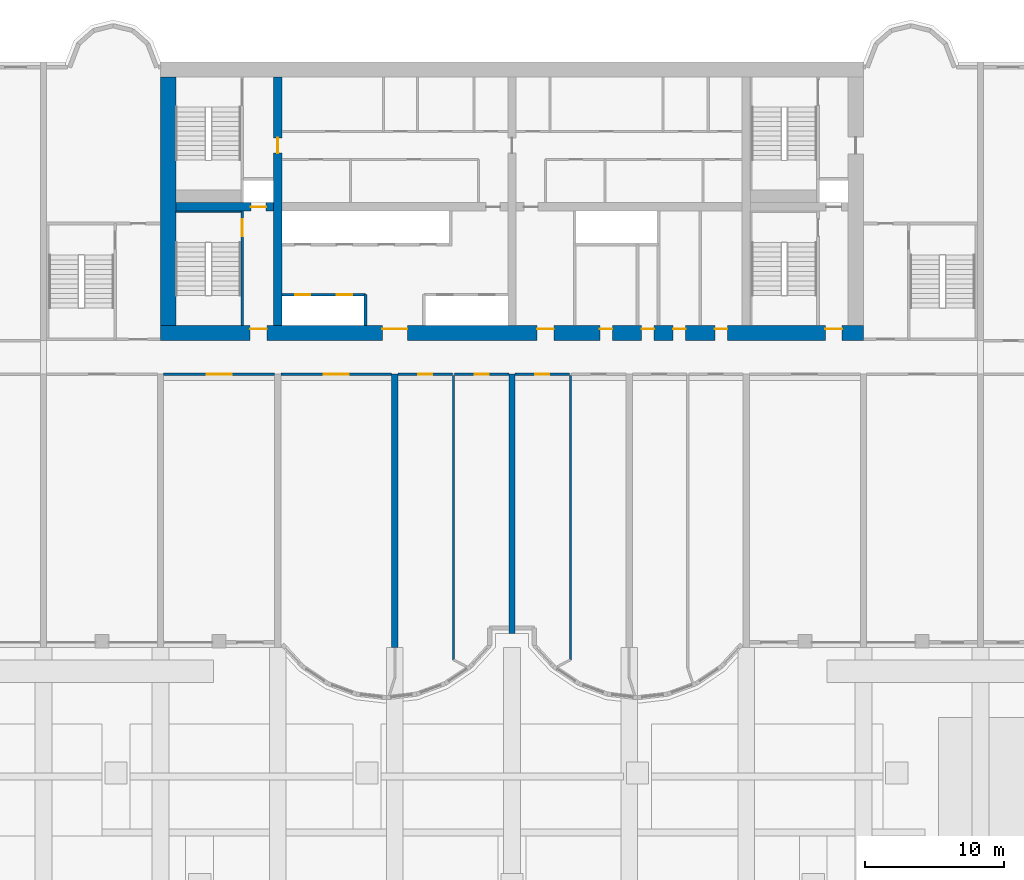
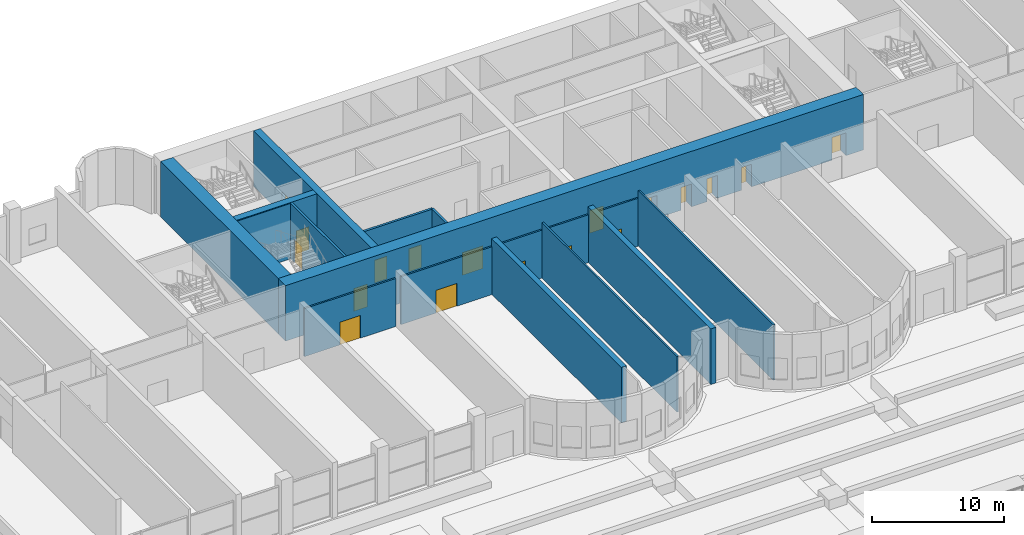
# One storey, part 10 of 20: 18 doors, 17 walls, 18 openings.
"""IFC4 building model written with IfcOpenShell, lengths in metres."""

from ifc_helpers import new_model, si_unit, direction, frame, frame_2d, origin, place, context, subcontext, project, spatial, rectangle, extrude, source, transform, mapped, material, layer, layer_set, type_object, element, fill, save


model = new_model("IFC4")

# Units and contexts
model_context = context("Model", 3, precision=1e-05, world=origin(), true_north=direction((0.0, 1.0)))
body_context = subcontext(model_context, "Body", "Model", "MODEL_VIEW")
ifc_project = project(units=[si_unit("LENGTHUNIT", "METRE"), si_unit("AREAUNIT", "SQUARE_METRE"), si_unit("VOLUMEUNIT", "CUBIC_METRE"), si_unit("PLANEANGLEUNIT", "RADIAN"), si_unit("MASSUNIT", "GRAM", prefix="KILO")], contexts=[model_context])

# Site, building, storey
site_placement = place(None, origin())
site = spatial("IfcSite", under=ifc_project, at=site_placement, CompositionType="ELEMENT")
building_placement = place(site_placement, origin())
building = spatial("IfcBuilding", under=site, at=building_placement, Name="Vanashikhar Sky Hotel", CompositionType="ELEMENT")
storey_placement = place(building_placement, frame((0.0, 0.0, 6.0)))
storey = spatial("IfcBuildingStorey", under=building, at=storey_placement, Name="L01", CompositionType="ELEMENT", Elevation=6.0)

# Wall, openings, doors
ifc_material_1 = material(Name="Concrete M80", Category="concrete")
ifc_layer_1 = layer(ifc_material_1, 1.10009765625)
ifc_layer_set_1 = layer_set([ifc_layer_1], Name="RC core shell wall 1100 Concrete M80")
wall_type_1 = type_object("IfcWallType", Name="RC core shell wall 1100 Concrete M80", PredefinedType="SHEAR", material=ifc_layer_set_1)
shared_shape_1 = source(origin(), body_context, "Body", "SweptSolid", [
    extrude(rectangle(XDim=50.400146484375, YDim=1.10009765625, at=frame_2d((25.2001953125, 0.0))), origin(), (0.0, 0.0, 1.0), 5.1201171875),
])
wall_1_placement = place(storey_placement, frame((25.199951171875, 22.550048828125, 0.0), z_axis=(0.0, 0.0, 1.0), x_axis=(1.0, 0.0, 0.0)))
wall_1 = element("IfcWall", 1, at=wall_1_placement, inside=storey, type_object=wall_type_1, Name="KW-L01-KS", PredefinedType="SHEAR", context=body_context, shape_type="MappedRepresentation", body=[
    mapped(shared_shape_1, transform((0.0, 0.0, 0.0), scale=1.0)),
])
shared_shape_2 = source(origin(), body_context, "Body", "SweptSolid", [
    extrude(rectangle(XDim=1.800048828125, YDim=2.10009765625, at=frame_2d((0.89990234375, 1.050048828125))), frame((0.0, 0.56005859375, 0.0), z_axis=(0.0, -1.0, 0.0), x_axis=(1.0, 0.0, 0.0)), (0.0, 0.0, 1.0), 1.1201171875),
])
opening_1_placement = place(wall_1_placement, frame((15.89990234375, 0.0, 0.0)))
opening_1 = element("IfcOpeningElement", 2, at=opening_1_placement, cuts=wall_1, Name="Opening DC-3-A", PredefinedType="OPENING", context=body_context, shape_type="MappedRepresentation", body=[
    mapped(shared_shape_2, transform((0.0, 0.0, 0.0), scale=1.0)),
])
shared_shape_3 = source(origin(), body_context, "Body", "SweptSolid", [
    extrude(rectangle(XDim=1.199951171875, YDim=2.10009765625, at=frame_2d((0.60009765625, 1.050048828125))), frame((0.0, 0.56005859375, 0.0), z_axis=(0.0, -1.0, 0.0), x_axis=(1.0, 0.0, 0.0)), (0.0, 0.0, 1.0), 1.1201171875),
])
opening_2_placement = place(wall_1_placement, frame((27.0, 0.0, 0.0)))
opening_2 = element("IfcOpeningElement", 3, at=opening_2_placement, cuts=wall_1, Name="Opening DC-4-B", PredefinedType="OPENING", context=body_context, shape_type="MappedRepresentation", body=[
    mapped(shared_shape_3, transform((0.0, 0.0, 0.0), scale=1.0)),
])
shared_shape_4 = source(origin(), body_context, "Body", "SweptSolid", [
    extrude(rectangle(XDim=0.89990234375, YDim=2.10009765625, at=frame_2d((0.449951171875, 1.050048828125))), frame((0.0, 0.56005859375, 0.0), z_axis=(0.0, -1.0, 0.0), x_axis=(1.0, 0.0, 0.0)), (0.0, 0.0, 1.0), 1.1201171875),
])
opening_3_placement = place(wall_1_placement, frame((34.5, 0.0, 0.0)))
opening_3 = element("IfcOpeningElement", 4, at=opening_3_placement, cuts=wall_1, Name="Opening DC-4-A", PredefinedType="OPENING", context=body_context, shape_type="MappedRepresentation", body=[
    mapped(shared_shape_4, transform((0.0, 0.0, 0.0), scale=1.0)),
])
opening_4_placement = place(wall_1_placement, frame((31.5, 0.0, 0.0)))
opening_4 = element("IfcOpeningElement", 5, at=opening_4_placement, cuts=wall_1, Name="Opening DC-4-A", PredefinedType="OPENING", context=body_context, shape_type="MappedRepresentation", body=[
    mapped(shared_shape_4, transform((0.0, 0.0, 0.0), scale=1.0)),
])
opening_5_placement = place(wall_1_placement, frame((39.75, 0.0, 0.0)))
opening_5 = element("IfcOpeningElement", 6, at=opening_5_placement, cuts=wall_1, Name="Opening DC-4-A", PredefinedType="OPENING", context=body_context, shape_type="MappedRepresentation", body=[
    mapped(shared_shape_4, transform((0.0, 0.0, 0.0), scale=1.0)),
])
opening_6_placement = place(wall_1_placement, frame((36.75, 0.0, 0.0)))
opening_6 = element("IfcOpeningElement", 7, at=opening_6_placement, cuts=wall_1, Name="Opening DC-4-A", PredefinedType="OPENING", context=body_context, shape_type="MappedRepresentation", body=[
    mapped(shared_shape_4, transform((0.0, 0.0, 0.0), scale=1.0)),
])
opening_7_placement = place(wall_1_placement, frame((6.425048828125, 0.0, 0.0)))
opening_7 = element("IfcOpeningElement", 8, at=opening_7_placement, cuts=wall_1, Name="Opening DC-2", PredefinedType="OPENING", context=body_context, shape_type="MappedRepresentation", body=[
    mapped(shared_shape_3, transform((0.0, 0.0, 0.0), scale=1.0)),
])
opening_8_placement = place(wall_1_placement, frame((47.675048828125, 0.0, 0.0)))
opening_8 = element("IfcOpeningElement", 9, at=opening_8_placement, cuts=wall_1, Name="Opening DC-2", PredefinedType="OPENING", context=body_context, shape_type="MappedRepresentation", body=[
    mapped(shared_shape_3, transform((0.0, 0.0, 0.0), scale=1.0)),
])
ifc_material_2 = material(Name="Glass", Category="glass")
door_type_1 = type_object("IfcDoorType", Name="Lift lobby entrance door 1800 FD30S", OperationType="NOTDEFINED", PredefinedType="DOOR", material=ifc_material_2)
shared_shape_5 = source(origin(), body_context, "Body", "SweptSolid", [
    extrude(rectangle(XDim=1.800048828125, YDim=2.10009765625, at=frame_2d((0.89990234375, 1.050048828125))), frame((0.0, 0.3251953125, 0.0), z_axis=(0.0, -1.0, 0.0), x_axis=(1.0, 0.0, 0.0)), (0.0, 0.0, 1.0), 0.050048828125),
])
door_1_placement = place(opening_1_placement, origin())
door_1 = element("IfcDoor", 10, at=door_1_placement, inside=storey, type_object=door_type_1, Name="Lift lobby entrance door 1800 FD30S", OperationType="DOUBLE_DOOR_SINGLE_SWING", OverallHeight=2.10009765625, OverallWidth=1.800048828125, PredefinedType="DOOR", context=body_context, shape_type="MappedRepresentation", body=[
    mapped(shared_shape_5, transform((0.0, 0.0, 0.0), scale=1.0)),
])
fill(opening_1, door_1)
ifc_material_3 = material(Name="Steel", Category="steel")
door_type_2 = type_object("IfcDoorType", Name="Service door 1200 FD60", OperationType="NOTDEFINED", PredefinedType="DOOR", material=ifc_material_3)
shared_shape_6 = source(origin(), body_context, "Body", "SweptSolid", [
    extrude(rectangle(XDim=1.199951171875, YDim=2.10009765625, at=frame_2d((0.60009765625, 1.050048828125))), frame((0.0, 0.3251953125, 0.0), z_axis=(0.0, -1.0, 0.0), x_axis=(1.0, 0.0, 0.0)), (0.0, 0.0, 1.0), 0.050048828125),
])
door_2_placement = place(opening_2_placement, origin())
door_2 = element("IfcDoor", 11, at=door_2_placement, inside=storey, type_object=door_type_2, Name="Service door 1200 FD60", OperationType="SINGLE_SWING_LEFT", OverallHeight=2.10009765625, OverallWidth=1.199951171875, PredefinedType="DOOR", context=body_context, shape_type="MappedRepresentation", body=[
    mapped(shared_shape_6, transform((0.0, 0.0, 0.0), scale=1.0)),
])
fill(opening_2, door_2)
door_type_3 = type_object("IfcDoorType", Name="Firefighting lobby door 1200 FD120", OperationType="NOTDEFINED", PredefinedType="DOOR", material=ifc_material_3)
door_3_placement = place(opening_7_placement, origin())
door_3 = element("IfcDoor", 12, at=door_3_placement, inside=storey, type_object=door_type_3, Name="Firefighting lobby door 1200 FD120", OperationType="SINGLE_SWING_LEFT", OverallHeight=2.10009765625, OverallWidth=1.199951171875, PredefinedType="DOOR", context=body_context, shape_type="MappedRepresentation", body=[
    mapped(shared_shape_6, transform((0.0, 0.0, 0.0), scale=1.0)),
])
fill(opening_7, door_3)
door_4_placement = place(opening_8_placement, origin())
door_4 = element("IfcDoor", 13, at=door_4_placement, inside=storey, type_object=door_type_3, Name="Firefighting lobby door 1200 FD120", OperationType="SINGLE_SWING_RIGHT", OverallHeight=2.10009765625, OverallWidth=1.199951171875, PredefinedType="DOOR", context=body_context, shape_type="MappedRepresentation", body=[
    mapped(shared_shape_6, transform((0.0, 0.0, 0.0), scale=1.0)),
])
fill(opening_8, door_4)
door_type_4 = type_object("IfcDoorType", Name="Service door 900 FD60", OperationType="NOTDEFINED", PredefinedType="DOOR", material=ifc_material_3)
shared_shape_7 = source(origin(), body_context, "Body", "SweptSolid", [
    extrude(rectangle(XDim=0.89990234375, YDim=2.10009765625, at=frame_2d((0.449951171875, 1.050048828125))), frame((0.0, 0.3251953125, 0.0), z_axis=(0.0, -1.0, 0.0), x_axis=(1.0, 0.0, 0.0)), (0.0, 0.0, 1.0), 0.050048828125),
])
door_5_placement = place(opening_3_placement, origin())
door_5 = element("IfcDoor", 14, at=door_5_placement, inside=storey, type_object=door_type_4, Name="Service door 900 FD60", OperationType="SINGLE_SWING_LEFT", OverallHeight=2.10009765625, OverallWidth=0.89990234375, PredefinedType="DOOR", context=body_context, shape_type="MappedRepresentation", body=[
    mapped(shared_shape_7, transform((0.0, 0.0, 0.0), scale=1.0)),
])
fill(opening_3, door_5)
door_6_placement = place(opening_4_placement, origin())
door_6 = element("IfcDoor", 15, at=door_6_placement, inside=storey, type_object=door_type_4, Name="Service door 900 FD60", OperationType="SINGLE_SWING_RIGHT", OverallHeight=2.10009765625, OverallWidth=0.89990234375, PredefinedType="DOOR", context=body_context, shape_type="MappedRepresentation", body=[
    mapped(shared_shape_7, transform((0.0, 0.0, 0.0), scale=1.0)),
])
fill(opening_4, door_6)
door_7_placement = place(opening_5_placement, origin())
door_7 = element("IfcDoor", 16, at=door_7_placement, inside=storey, type_object=door_type_4, Name="Service door 900 FD60", OperationType="SINGLE_SWING_LEFT", OverallHeight=2.10009765625, OverallWidth=0.89990234375, PredefinedType="DOOR", context=body_context, shape_type="MappedRepresentation", body=[
    mapped(shared_shape_7, transform((0.0, 0.0, 0.0), scale=1.0)),
])
fill(opening_5, door_7)
door_8_placement = place(opening_6_placement, origin())
door_8 = element("IfcDoor", 17, at=door_8_placement, inside=storey, type_object=door_type_4, Name="Service door 900 FD60", OperationType="SINGLE_SWING_RIGHT", OverallHeight=2.10009765625, OverallWidth=0.89990234375, PredefinedType="DOOR", context=body_context, shape_type="MappedRepresentation", body=[
    mapped(shared_shape_7, transform((0.0, 0.0, 0.0), scale=1.0)),
])
fill(opening_6, door_8)

# Wall
shared_shape_8 = source(origin(), body_context, "Body", "SweptSolid", [
    extrude(rectangle(XDim=17.7998046875, YDim=1.10009765625, at=frame_2d((8.89990234375, 0.0))), origin(), (0.0, 0.0, 1.0), 5.1201171875),
])
wall_2_placement = place(storey_placement, frame((25.75, 23.10009765625, 0.0), z_axis=(0.0, 0.0, 1.0), x_axis=(0.0, 1.0, 0.0)))
element("IfcWall", 18, at=wall_2_placement, inside=storey, type_object=wall_type_1, Name="KW-L01-KW", PredefinedType="SHEAR", context=body_context, shape_type="MappedRepresentation", body=[
    mapped(shared_shape_8, transform((0.0, 0.0, 0.0), scale=1.0)),
])

# Wall, opening, door
ifc_layer_2 = layer(ifc_material_1, 0.60009765625)
ifc_layer_set_2 = layer_set([ifc_layer_2], Name="RC core inner wall 600 Concrete M80")
wall_type_2 = type_object("IfcWallType", Name="RC core inner wall 600 Concrete M80", PredefinedType="SHEAR", material=ifc_layer_set_2)
shared_shape_9 = source(origin(), body_context, "Body", "SweptSolid", [
    extrude(rectangle(XDim=17.7998046875, YDim=0.60009765625, at=frame_2d((8.89990234375, 0.0))), origin(), (0.0, 0.0, 1.0), 5.1201171875),
])
wall_3_placement = place(storey_placement, frame((33.60009765625, 23.10009765625, 0.0), z_axis=(0.0, 0.0, 1.0), x_axis=(0.0, 1.0, 0.0)))
wall_3 = element("IfcWall", 19, at=wall_3_placement, inside=storey, type_object=wall_type_2, Name="KW-L01-KX1", PredefinedType="SHEAR", context=body_context, shape_type="MappedRepresentation", body=[
    mapped(shared_shape_9, transform((0.0, 0.0, 0.0), scale=1.0)),
])
shared_shape_10 = source(origin(), body_context, "Body", "SweptSolid", [
    extrude(rectangle(XDim=1.10009765625, YDim=2.10009765625, at=frame_2d((0.550048828125, 1.050048828125))), frame((0.0, 0.31005859375, 0.0), z_axis=(0.0, -1.0, 0.0), x_axis=(1.0, 0.0, 0.0)), (0.0, 0.0, 1.0), 0.6201171875),
])
opening_9_placement = place(wall_3_placement, frame((12.35009765625, 0.0, 0.0)))
opening_9 = element("IfcOpeningElement", 20, at=opening_9_placement, cuts=wall_3, Name="Opening DC-4-C", PredefinedType="OPENING", context=body_context, shape_type="MappedRepresentation", body=[
    mapped(shared_shape_10, transform((0.0, 0.0, 0.0), scale=1.0)),
])
door_type_5 = type_object("IfcDoorType", Name="Service door 1100 FD60", OperationType="NOTDEFINED", PredefinedType="DOOR", material=ifc_material_3)
shared_shape_11 = source(origin(), body_context, "Body", "SweptSolid", [
    extrude(rectangle(XDim=1.10009765625, YDim=2.10009765625, at=frame_2d((0.550048828125, 1.050048828125))), frame((0.0, 0.02490234375, 0.0), z_axis=(0.0, -1.0, 0.0), x_axis=(1.0, 0.0, 0.0)), (0.0, 0.0, 1.0), 0.050048828125),
])
door_9_placement = place(opening_9_placement, origin())
door_9 = element("IfcDoor", 21, at=door_9_placement, inside=storey, type_object=door_type_5, Name="Service door 1100 FD60", OperationType="SINGLE_SWING_LEFT", OverallHeight=2.10009765625, OverallWidth=1.10009765625, PredefinedType="DOOR", context=body_context, shape_type="MappedRepresentation", body=[
    mapped(shared_shape_11, transform((0.0, 0.0, 0.0), scale=1.0)),
])
fill(opening_9, door_9)

shared_shape_12 = source(origin(), body_context, "Body", "SweptSolid", [
    extrude(rectangle(XDim=7.0, YDim=0.60009765625, at=frame_2d((3.5, 0.0))), origin(), (0.0, 0.0, 1.0), 5.1201171875),
])
wall_4_placement = place(storey_placement, frame((26.300048828125, 31.60009765625, 0.0), z_axis=(0.0, 0.0, 1.0), x_axis=(1.0, 0.0, 0.0)))
wall_4 = element("IfcWall", 22, at=wall_4_placement, inside=storey, type_object=wall_type_2, Name="KW-L01-KY1", PredefinedType="SHEAR", context=body_context, shape_type="MappedRepresentation", body=[
    mapped(shared_shape_12, transform((0.0, 0.0, 0.0), scale=1.0)),
])
opening_10_placement = place(wall_4_placement, frame((5.375, 0.0, 0.0)))
opening_10 = element("IfcOpeningElement", 23, at=opening_10_placement, cuts=wall_4, Name="Opening LD", PredefinedType="OPENING", context=body_context, shape_type="MappedRepresentation", body=[
    mapped(shared_shape_10, transform((0.0, 0.0, 0.0), scale=1.0)),
])
ifc_material_4 = material(Name="Stainless steel", Category="steel")
door_type_6 = type_object("IfcDoorType", Name="Lift landing door 1100", OperationType="NOTDEFINED", PredefinedType="DOOR", material=ifc_material_4)
door_10_placement = place(opening_10_placement, origin())
door_10 = element("IfcDoor", 24, at=door_10_placement, inside=storey, type_object=door_type_6, Name="Lift landing door 1100", OperationType="SLIDING_TO_RIGHT", OverallHeight=2.10009765625, OverallWidth=1.10009765625, PredefinedType="DOOR", context=body_context, shape_type="MappedRepresentation", body=[
    mapped(shared_shape_11, transform((0.0, 0.0, 0.0), scale=1.0)),
])
fill(opening_10, door_10)

# Walls
ifc_layer_3 = layer(ifc_material_1, 0.449951171875)
ifc_layer_set_3 = layer_set([ifc_layer_3], Name="RC shear wall 450 Concrete M80")
wall_type_3 = type_object("IfcWallType", Name="RC shear wall 450 Concrete M80", PredefinedType="SHEAR", material=ifc_layer_set_3)
shared_shape_13 = source(origin(), body_context, "Body", "SweptSolid", [
    extrude(rectangle(XDim=19.60009765625, YDim=0.449951171875, at=frame_2d((9.800048828125, 0.0))), origin(), (0.0, 0.0, 1.0), 5.1201171875),
])
wall_5_placement = place(storey_placement, frame((42.0, 0.0, 0.0), z_axis=(0.0, 0.0, 1.0), x_axis=(0.0, 1.0, 0.0)))
element("IfcWall", 25, at=wall_5_placement, inside=storey, type_object=wall_type_3, Name="CW-L01-XW06-1", PredefinedType="SHEAR", context=body_context, shape_type="MappedRepresentation", body=[
    mapped(shared_shape_13, transform((0.0, 0.0, 0.0), scale=1.0)),
])
shared_shape_14 = source(origin(), body_context, "Body", "SweptSolid", [
    extrude(rectangle(XDim=18.60009765625, YDim=0.449951171875, at=frame_2d((9.300048828125, 0.0))), origin(), (0.0, 0.0, 1.0), 5.1201171875),
])
wall_6_placement = place(storey_placement, frame((50.39990234375, 1.0, 0.0), z_axis=(0.0, 0.0, 1.0), x_axis=(0.0, 1.0, 0.0)))
element("IfcWall", 26, at=wall_6_placement, inside=storey, type_object=wall_type_3, Name="CW-L01-XW07-1", PredefinedType="SHEAR", context=body_context, shape_type="MappedRepresentation", body=[
    mapped(shared_shape_14, transform((0.0, 0.0, 0.0), scale=1.0)),
])

# Wall, openings, doors
ifc_material_5 = material(Name="Concrete M40", Category="concrete")
ifc_layer_4 = layer(ifc_material_5, 0.199951171875)
ifc_layer_set_4 = layer_set([ifc_layer_4], Name="Shaft wall 200")
wall_type_4 = type_object("IfcWallType", Name="Shaft wall 200", PredefinedType="SOLIDWALL", material=ifc_layer_set_4)
shared_shape_15 = source(origin(), body_context, "Body", "SweptSolid", [
    extrude(rectangle(XDim=6.0, YDim=0.199951171875, at=frame_2d((3.0, 0.0))), origin(), (0.0, 0.0, 1.0), 5.1201171875),
])
wall_7_placement = place(storey_placement, frame((33.89990234375, 25.300048828125, 0.0), z_axis=(0.0, 0.0, 1.0), x_axis=(1.0, 0.0, 0.0)))
wall_7 = element("IfcWall", 27, at=wall_7_placement, inside=storey, type_object=wall_type_4, Name="Shaft wall 200", PredefinedType="SOLIDWALL", context=body_context, shape_type="MappedRepresentation", body=[
    mapped(shared_shape_15, transform((0.0, 0.0, 0.0), scale=1.0)),
])
shared_shape_16 = source(origin(), body_context, "Body", "SweptSolid", [
    extrude(rectangle(XDim=1.10009765625, YDim=2.10009765625, at=frame_2d((0.550048828125, 1.050048828125))), frame((0.0, 0.10986328125, 0.0), z_axis=(0.0, -1.0, 0.0), x_axis=(1.0, 0.0, 0.0)), (0.0, 0.0, 1.0), 0.219970703125),
])
opening_11_placement = place(wall_7_placement, frame((0.949951171875, 0.0, 0.0)))
opening_11 = element("IfcOpeningElement", 28, at=opening_11_placement, cuts=wall_7, Name="Opening LD", PredefinedType="OPENING", context=body_context, shape_type="MappedRepresentation", body=[
    mapped(shared_shape_16, transform((0.0, 0.0, 0.0), scale=1.0)),
])
opening_12_placement = place(wall_7_placement, frame((3.949951171875, 0.0, 0.0)))
opening_12 = element("IfcOpeningElement", 29, at=opening_12_placement, cuts=wall_7, Name="Opening LD", PredefinedType="OPENING", context=body_context, shape_type="MappedRepresentation", body=[
    mapped(shared_shape_16, transform((0.0, 0.0, 0.0), scale=1.0)),
])
door_11_placement = place(opening_11_placement, origin())
door_11 = element("IfcDoor", 30, at=door_11_placement, inside=storey, type_object=door_type_6, Name="Lift landing door 1100", OperationType="SLIDING_TO_LEFT", OverallHeight=2.10009765625, OverallWidth=1.10009765625, PredefinedType="DOOR", context=body_context, shape_type="MappedRepresentation", body=[
    mapped(shared_shape_11, transform((0.0, 0.0, 0.0), scale=1.0)),
])
fill(opening_11, door_11)
door_12_placement = place(opening_12_placement, origin())
door_12 = element("IfcDoor", 31, at=door_12_placement, inside=storey, type_object=door_type_6, Name="Lift landing door 1100", OperationType="SLIDING_TO_RIGHT", OverallHeight=2.10009765625, OverallWidth=1.10009765625, PredefinedType="DOOR", context=body_context, shape_type="MappedRepresentation", body=[
    mapped(shared_shape_11, transform((0.0, 0.0, 0.0), scale=1.0)),
])
fill(opening_12, door_12)

# Wall
shared_shape_17 = source(origin(), body_context, "Body", "SweptSolid", [
    extrude(rectangle(XDim=2.199951171875, YDim=0.199951171875, at=frame_2d((1.10009765625, 0.0))), origin(), (0.0, 0.0, 1.0), 5.1201171875),
])
wall_8_placement = place(storey_placement, frame((39.89990234375, 23.10009765625, 0.0), z_axis=(0.0, 0.0, 1.0), x_axis=(0.0, 1.0, 0.0)))
element("IfcWall", 32, at=wall_8_placement, inside=storey, type_object=wall_type_4, Name="Shaft wall 200", PredefinedType="SOLIDWALL", context=body_context, shape_type="MappedRepresentation", body=[
    mapped(shared_shape_17, transform((0.0, 0.0, 0.0), scale=1.0)),
])

# Wall, opening, door
ifc_material_6 = material(Name="Concrete M50", Category="concrete")
ifc_layer_5 = layer(ifc_material_6, 0.199951171875)
ifc_layer_set_5 = layer_set([ifc_layer_5], Name="Stair wall 200")
wall_type_5 = type_object("IfcWallType", Name="Stair wall 200", PredefinedType="SOLIDWALL", material=ifc_layer_set_5)
shared_shape_18 = source(origin(), body_context, "Body", "SweptSolid", [
    extrude(rectangle(XDim=8.199951171875, YDim=0.199951171875, at=frame_2d((4.10009765625, 0.0))), origin(), (0.0, 0.0, 1.0), 5.1201171875),
])
wall_9_placement = place(storey_placement, frame((31.050048828125, 23.10009765625, 0.0), z_axis=(0.0, 0.0, 1.0), x_axis=(0.0, 1.0, 0.0)))
wall_9 = element("IfcWall", 33, at=wall_9_placement, inside=storey, type_object=wall_type_5, Name="Stair wall 200", PredefinedType="SOLIDWALL", context=body_context, shape_type="MappedRepresentation", body=[
    mapped(shared_shape_18, transform((0.0, 0.0, 0.0), scale=1.0)),
])
shared_shape_19 = source(origin(), body_context, "Body", "SweptSolid", [
    extrude(rectangle(XDim=1.199951171875, YDim=2.10009765625, at=frame_2d((0.60009765625, 1.050048828125))), frame((0.0, 0.10986328125, 0.0), z_axis=(0.0, -1.0, 0.0), x_axis=(1.0, 0.0, 0.0)), (0.0, 0.0, 1.0), 0.219970703125),
])
opening_13_placement = place(wall_9_placement, frame((6.39990234375, 0.0, 0.0)))
opening_13 = element("IfcOpeningElement", 34, at=opening_13_placement, cuts=wall_9, Name="Opening DC-1", PredefinedType="OPENING", context=body_context, shape_type="MappedRepresentation", body=[
    mapped(shared_shape_19, transform((0.0, 0.0, 0.0), scale=1.0)),
])
door_type_7 = type_object("IfcDoorType", Name="Stair door 1200 FD120", OperationType="NOTDEFINED", PredefinedType="DOOR", material=ifc_material_3)
shared_shape_20 = source(origin(), body_context, "Body", "SweptSolid", [
    extrude(rectangle(XDim=1.199951171875, YDim=2.10009765625, at=frame_2d((0.60009765625, 1.050048828125))), frame((0.0, 0.02490234375, 0.0), z_axis=(0.0, -1.0, 0.0), x_axis=(1.0, 0.0, 0.0)), (0.0, 0.0, 1.0), 0.050048828125),
])
door_13_placement = place(opening_13_placement, origin())
door_13 = element("IfcDoor", 35, at=door_13_placement, inside=storey, type_object=door_type_7, Name="Stair door 1200 FD120", OperationType="SINGLE_SWING_LEFT", OverallHeight=2.10009765625, OverallWidth=1.199951171875, PredefinedType="DOOR", context=body_context, shape_type="MappedRepresentation", body=[
    mapped(shared_shape_20, transform((0.0, 0.0, 0.0), scale=1.0)),
])
fill(opening_13, door_13)

# Wall
ifc_layer_6 = layer(ifc_material_6, 0.10009765625)
ifc_layer_set_6 = layer_set([ifc_layer_6], Name="Stair infill wall 100")
wall_type_6 = type_object("IfcWallType", Name="Stair infill wall 100", PredefinedType="SOLIDWALL", material=ifc_layer_set_6)
shared_shape_21 = source(origin(), body_context, "Body", "SweptSolid", [
    extrude(rectangle(XDim=4.64990234375, YDim=0.10009765625, at=frame_2d((2.324951171875, 0.0))), origin(), (0.0, 0.0, 1.0), 5.1201171875),
])
wall_10_placement = place(storey_placement, frame((26.300048828125, 31.25, 0.0), z_axis=(0.0, 0.0, 1.0), x_axis=(1.0, 0.0, 0.0)))
element("IfcWall", 36, at=wall_10_placement, inside=storey, type_object=wall_type_6, Name="Stair infill wall 100", PredefinedType="SOLIDWALL", context=body_context, shape_type="MappedRepresentation", body=[
    mapped(shared_shape_21, transform((0.0, 0.0, 0.0), scale=1.0)),
])

# Wall, opening, door
ifc_material_7 = material(Name="Gypsum plasterboard partition")
ifc_layer_7 = layer(ifc_material_7, 0.14990234375)
ifc_layer_set_7 = layer_set([ifc_layer_7], Name="Corridor and demising partition 150")
wall_type_7 = type_object("IfcWallType", Name="Corridor and demising partition 150", PredefinedType="PARTITIONING", material=ifc_layer_set_7)
shared_shape_22 = source(origin(), body_context, "Body", "SweptSolid", [
    extrude(rectangle(XDim=3.900146484375, YDim=0.14990234375, at=frame_2d((1.9501953125, 0.0))), origin(), (0.0, 0.0, 1.0), 4.419921875),
])
wall_11_placement = place(storey_placement, frame((46.27490234375, 19.60009765625, 0.0), z_axis=(0.0, 0.0, 1.0), x_axis=(1.0, 0.0, 0.0)))
wall_11 = element("IfcWall", 37, at=wall_11_placement, inside=storey, type_object=wall_type_7, Name="W-L01-PW009", PredefinedType="PARTITIONING", context=body_context, shape_type="MappedRepresentation", body=[
    mapped(shared_shape_22, transform((0.0, 0.0, 0.0), scale=1.0)),
])
shared_shape_23 = source(origin(), body_context, "Body", "SweptSolid", [
    extrude(rectangle(XDim=1.0, YDim=2.10009765625, at=frame_2d((0.5, 1.050048828125))), frame((0.0, 0.0849609375, 0.0), z_axis=(0.0, -1.0, 0.0), x_axis=(1.0, 0.0, 0.0)), (0.0, 0.0, 1.0), 0.169921875),
])
opening_14_placement = place(wall_11_placement, frame((1.449951171875, 0.0, 0.0)))
opening_14 = element("IfcOpeningElement", 38, at=opening_14_placement, cuts=wall_11, Name="Opening D-01", PredefinedType="OPENING", context=body_context, shape_type="MappedRepresentation", body=[
    mapped(shared_shape_23, transform((0.0, 0.0, 0.0), scale=1.0)),
])
ifc_material_8 = material(Name="Timber fire door", Category="wood")
door_type_8 = type_object("IfcDoorType", Name="Guest entry door 1000 FD30S", OperationType="NOTDEFINED", PredefinedType="DOOR", material=ifc_material_8)
shared_shape_24 = source(origin(), body_context, "Body", "SweptSolid", [
    extrude(rectangle(XDim=1.0, YDim=2.10009765625, at=frame_2d((0.5, 1.050048828125))), frame((0.0, 0.02490234375, 0.0), z_axis=(0.0, -1.0, 0.0), x_axis=(1.0, 0.0, 0.0)), (0.0, 0.0, 1.0), 0.050048828125),
])
door_14_placement = place(opening_14_placement, origin())
door_14 = element("IfcDoor", 39, at=door_14_placement, inside=storey, type_object=door_type_8, Name="D-L01-008", OperationType="SINGLE_SWING_RIGHT", OverallHeight=2.10009765625, OverallWidth=1.0, PredefinedType="DOOR", context=body_context, shape_type="MappedRepresentation", body=[
    mapped(shared_shape_24, transform((0.0, 0.0, 0.0), scale=1.0)),
])
fill(opening_14, door_14)

shared_shape_25 = source(origin(), body_context, "Body", "SweptSolid", [
    extrude(rectangle(XDim=7.949951171875, YDim=0.14990234375, at=frame_2d((3.97509765625, 0.0))), origin(), (0.0, 0.0, 1.0), 4.419921875),
])
wall_12_placement = place(storey_placement, frame((25.425048828125, 19.60009765625, 0.0), z_axis=(0.0, 0.0, 1.0), x_axis=(1.0, 0.0, 0.0)))
wall_12 = element("IfcWall", 40, at=wall_12_placement, inside=storey, type_object=wall_type_7, Name="W-L01-PW006", PredefinedType="PARTITIONING", context=body_context, shape_type="MappedRepresentation", body=[
    mapped(shared_shape_25, transform((0.0, 0.0, 0.0), scale=1.0)),
])
shared_shape_26 = source(origin(), body_context, "Body", "SweptSolid", [
    extrude(rectangle(XDim=1.800048828125, YDim=2.10009765625, at=frame_2d((0.89990234375, 1.050048828125))), frame((0.0, 0.0849609375, 0.0), z_axis=(0.0, -1.0, 0.0), x_axis=(1.0, 0.0, 0.0)), (0.0, 0.0, 1.0), 0.169921875),
])
opening_15_placement = place(wall_12_placement, frame((3.074951171875, 0.0, 0.0)))
opening_15 = element("IfcOpeningElement", 41, at=opening_15_placement, cuts=wall_12, Name="Opening D-03", PredefinedType="OPENING", context=body_context, shape_type="MappedRepresentation", body=[
    mapped(shared_shape_26, transform((0.0, 0.0, 0.0), scale=1.0)),
])
door_type_9 = type_object("IfcDoorType", Name="Double leaf door 1800 FD30S", OperationType="NOTDEFINED", PredefinedType="DOOR", material=ifc_material_8)
shared_shape_27 = source(origin(), body_context, "Body", "SweptSolid", [
    extrude(rectangle(XDim=1.800048828125, YDim=2.10009765625, at=frame_2d((0.89990234375, 1.050048828125))), frame((0.0, 0.02490234375, 0.0), z_axis=(0.0, -1.0, 0.0), x_axis=(1.0, 0.0, 0.0)), (0.0, 0.0, 1.0), 0.050048828125),
])
door_15_placement = place(opening_15_placement, origin())
door_15 = element("IfcDoor", 42, at=door_15_placement, inside=storey, type_object=door_type_9, Name="D-L01-005", OperationType="DOUBLE_DOOR_SINGLE_SWING", OverallHeight=2.10009765625, OverallWidth=1.800048828125, PredefinedType="DOOR", context=body_context, shape_type="MappedRepresentation", body=[
    mapped(shared_shape_27, transform((0.0, 0.0, 0.0), scale=1.0)),
])
fill(opening_15, door_15)

wall_13_placement = place(storey_placement, frame((33.824951171875, 19.60009765625, 0.0), z_axis=(0.0, 0.0, 1.0), x_axis=(1.0, 0.0, 0.0)))
wall_13 = element("IfcWall", 43, at=wall_13_placement, inside=storey, type_object=wall_type_7, Name="W-L01-PW007", PredefinedType="PARTITIONING", context=body_context, shape_type="MappedRepresentation", body=[
    mapped(shared_shape_25, transform((0.0, 0.0, 0.0), scale=1.0)),
])
opening_16_placement = place(wall_13_placement, frame((3.074951171875, 0.0, 0.0)))
opening_16 = element("IfcOpeningElement", 44, at=opening_16_placement, cuts=wall_13, Name="Opening D-03", PredefinedType="OPENING", context=body_context, shape_type="MappedRepresentation", body=[
    mapped(shared_shape_26, transform((0.0, 0.0, 0.0), scale=1.0)),
])
door_16_placement = place(opening_16_placement, origin())
door_16 = element("IfcDoor", 45, at=door_16_placement, inside=storey, type_object=door_type_9, Name="D-L01-006", OperationType="DOUBLE_DOOR_SINGLE_SWING", OverallHeight=2.10009765625, OverallWidth=1.800048828125, PredefinedType="DOOR", context=body_context, shape_type="MappedRepresentation", body=[
    mapped(shared_shape_27, transform((0.0, 0.0, 0.0), scale=1.0)),
])
fill(opening_16, door_16)

shared_shape_28 = source(origin(), body_context, "Body", "SweptSolid", [
    extrude(rectangle(XDim=3.89990234375, YDim=0.14990234375, at=frame_2d((1.949951171875, 0.0))), origin(), (0.0, 0.0, 1.0), 4.419921875),
])
wall_14_placement = place(storey_placement, frame((42.22509765625, 19.60009765625, 0.0), z_axis=(0.0, 0.0, 1.0), x_axis=(1.0, 0.0, 0.0)))
wall_14 = element("IfcWall", 46, at=wall_14_placement, inside=storey, type_object=wall_type_7, Name="W-L01-PW008", PredefinedType="PARTITIONING", context=body_context, shape_type="MappedRepresentation", body=[
    mapped(shared_shape_28, transform((0.0, 0.0, 0.0), scale=1.0)),
])
opening_17_placement = place(wall_14_placement, frame((1.449951171875, 0.0, 0.0)))
opening_17 = element("IfcOpeningElement", 47, at=opening_17_placement, cuts=wall_14, Name="Opening D-01", PredefinedType="OPENING", context=body_context, shape_type="MappedRepresentation", body=[
    mapped(shared_shape_23, transform((0.0, 0.0, 0.0), scale=1.0)),
])
door_17_placement = place(opening_17_placement, origin())
door_17 = element("IfcDoor", 48, at=door_17_placement, inside=storey, type_object=door_type_8, Name="D-L01-007", OperationType="SINGLE_SWING_LEFT", OverallHeight=2.10009765625, OverallWidth=1.0, PredefinedType="DOOR", context=body_context, shape_type="MappedRepresentation", body=[
    mapped(shared_shape_24, transform((0.0, 0.0, 0.0), scale=1.0)),
])
fill(opening_17, door_17)

wall_15_placement = place(storey_placement, frame((50.625, 19.60009765625, 0.0), z_axis=(0.0, 0.0, 1.0), x_axis=(1.0, 0.0, 0.0)))
wall_15 = element("IfcWall", 49, at=wall_15_placement, inside=storey, type_object=wall_type_7, Name="W-L01-PW011", PredefinedType="PARTITIONING", context=body_context, shape_type="MappedRepresentation", body=[
    mapped(shared_shape_28, transform((0.0, 0.0, 0.0), scale=1.0)),
])
opening_18_placement = place(wall_15_placement, frame((1.449951171875, 0.0, 0.0)))
opening_18 = element("IfcOpeningElement", 50, at=opening_18_placement, cuts=wall_15, Name="Opening D-01", PredefinedType="OPENING", context=body_context, shape_type="MappedRepresentation", body=[
    mapped(shared_shape_23, transform((0.0, 0.0, 0.0), scale=1.0)),
])
door_18_placement = place(opening_18_placement, origin())
door_18 = element("IfcDoor", 51, at=door_18_placement, inside=storey, type_object=door_type_8, Name="D-L01-009", OperationType="SINGLE_SWING_LEFT", OverallHeight=2.10009765625, OverallWidth=1.0, PredefinedType="DOOR", context=body_context, shape_type="MappedRepresentation", body=[
    mapped(shared_shape_24, transform((0.0, 0.0, 0.0), scale=1.0)),
])
fill(opening_18, door_18)

# Walls
shared_shape_29 = source(origin(), body_context, "Body", "SweptSolid", [
    extrude(rectangle(XDim=20.406005859375, YDim=0.14990234375, at=frame_2d((10.203125, 0.0))), origin(), (0.0, 0.0, 1.0), 5.1201171875),
])
for number, where, z_axis, x_axis, name in (
    (52, (46.199951171875, -0.881103515625, 0.0), (0.0, 0.0, 1.0), (0.0, 1.0, 0.0), "W-L01-PW010"),
    (53, (54.60009765625, -0.881103515625, 0.0), (0.0, 0.0, 1.0), (0.0, 1.0, 0.0), "W-L01-PW013"),
):
    element("IfcWall", number, at=place(storey_placement, frame(where, z_axis=z_axis, x_axis=x_axis)), inside=storey, type_object=wall_type_7, Name=name, PredefinedType="PARTITIONING", context=body_context, shape_type="MappedRepresentation", body=[
        mapped(shared_shape_29, transform((0.0, 0.0, 0.0), scale=1.0)),
    ])

save(model, "model.ifc")
